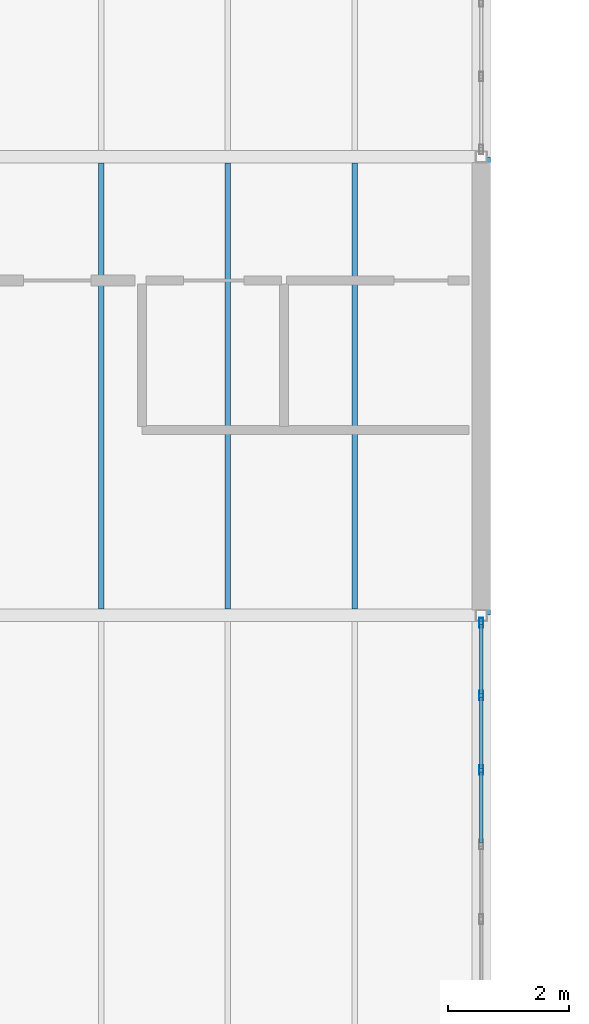
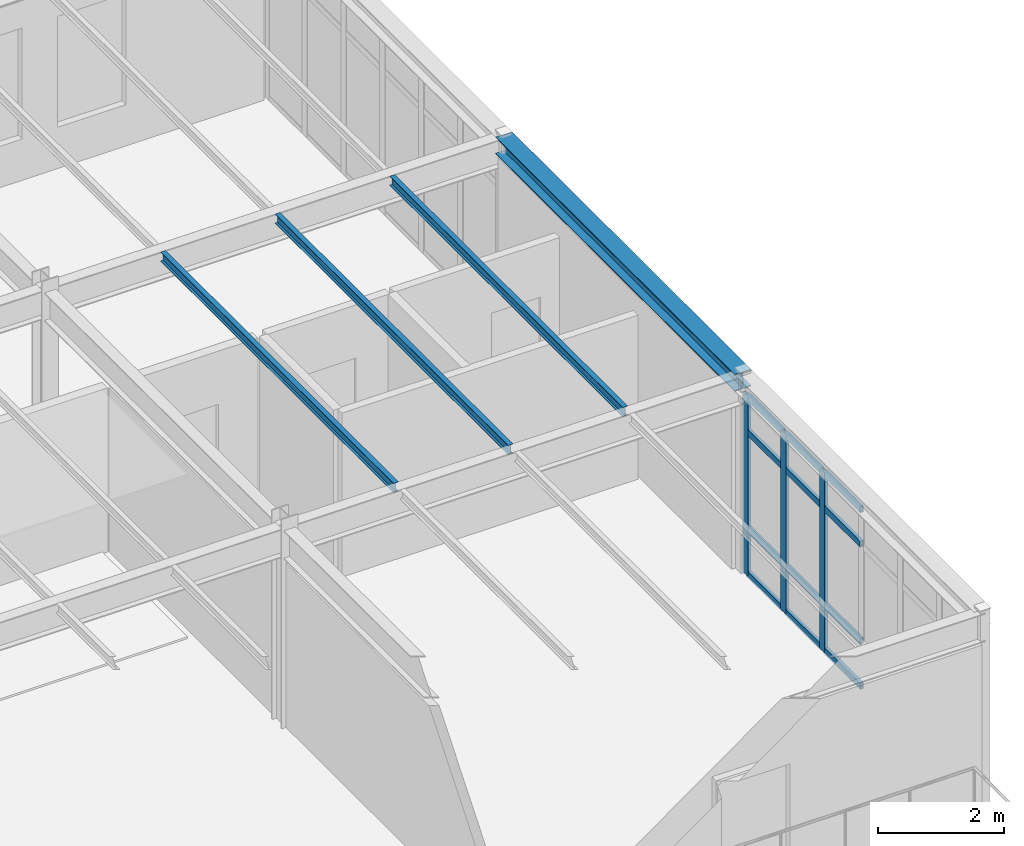
# One storey, part 24 of 65: 15 members, 4 beams, 1 element without a shape of its own.
"""IFC4 building model written with IfcOpenShell, lengths in metres."""

from ifc_helpers import new_model, si_unit, direction, frame, origin, origin_2d, place, context, subcontext, project, spatial, hollow_rectangle, i_section, extrude, material, layer, layer_set, material_profile, profile_set, type_object, element, aggregate, save


model = new_model("IFC4")

# Units and contexts
model_context = context("Model", 3, precision=1e-05, world=origin(), true_north=direction((0.0, 1.0)))
body_context = subcontext(model_context, "Body", "Model", "MODEL_VIEW")
ifc_project = project(units=[si_unit("LENGTHUNIT", "METRE"), si_unit("AREAUNIT", "SQUARE_METRE"), si_unit("VOLUMEUNIT", "CUBIC_METRE"), si_unit("PLANEANGLEUNIT", "RADIAN"), si_unit("MASSUNIT", "GRAM", prefix="KILO")], contexts=[model_context])

# Site, building, storey
site_placement = place(None, origin())
site = spatial("IfcSite", under=ifc_project, at=site_placement, CompositionType="ELEMENT")
building_placement = place(site_placement, origin())
building = spatial("IfcBuilding", under=site, at=building_placement, Name="Montecoro Central Library", CompositionType="ELEMENT")
storey_placement = place(building_placement, frame((0.0, 0.0, 17.340087890625)))
storey = spatial("IfcBuildingStorey", under=building, at=storey_placement, Name="L04", CompositionType="ELEMENT", Elevation=17.340087890625)

# Beams
ifc_material_1 = material(Name="Steel S355", Category="steel")
ifc_material_profile_1 = material_profile(ifc_material_1, i_section(OverallWidth=0.091064453125, OverallDepth=0.179931640625, WebThickness=0.00537109375, FlangeThickness=0.008056640625, at=origin_2d()), Name="IPE 180")
ifc_profile_set_1 = profile_set([ifc_material_profile_1], Name="Steel S355")
beam_type_1 = type_object("IfcBeamType", Name="BM-J-IPE180", PredefinedType="JOIST", material=ifc_profile_set_1)
for number, where, z_axis, x_axis, name in (
    (1, (110.5, 103.902099609375, 3.73486328125), (0.0, 1.0, 0.0), (-1.0, 0.0, 0.0), "V2-L04-JS-1415-PQ-1"),
    (2, (112.60009765625, 103.902099609375, 3.73486328125), (0.0, 1.0, 0.0), (-1.0, 0.0, 0.0), "V2-L04-JS-1415-PQ-2"),
    (3, (114.699951171875, 103.902099609375, 3.73486328125), (0.0, 1.0, 0.0), (-1.0, 0.0, 0.0), "V2-L04-JS-1415-PQ-3"),
):
    element("IfcBeam", number, at=place(storey_placement, frame(where, z_axis=z_axis, x_axis=x_axis)), inside=storey, type_object=beam_type_1, Name=name, PredefinedType="JOIST", context=body_context, shape_type="SweptSolid", body=[
        extrude(i_section(OverallWidth=0.091064453125, OverallDepth=0.179931640625, WebThickness=0.00537109375, FlangeThickness=0.008056640625, at=origin_2d()), origin(), (0.0, 0.0, 1.0), 7.39599609375),
    ])
ifc_material_profile_2 = material_profile(ifc_material_1, i_section(OverallWidth=0.300048828125, OverallDepth=0.330078125, WebThickness=0.009521484375, FlangeThickness=0.0166015625, at=origin_2d()), Name="HEA 340")
ifc_profile_set_2 = profile_set([ifc_material_profile_2], Name="Steel S355")
beam_type_2 = type_object("IfcBeamType", Name="BM-SP-HEA340", PredefinedType="SPANDREL", material=ifc_profile_set_2)
beam_placement = place(storey_placement, frame((116.800048828125, 103.804931640625, 3.659912109375), z_axis=(0.0, 1.0, 0.0), x_axis=(-1.0, 0.0, 0.0)))
element("IfcBeam", 4, at=beam_placement, inside=storey, type_object=beam_type_2, Name="V2-L04-BY-15-PQ", PredefinedType="SPANDREL", context=body_context, shape_type="SweptSolid", body=[
    extrude(i_section(OverallWidth=0.300048828125, OverallDepth=0.330078125, WebThickness=0.009521484375, FlangeThickness=0.0166015625, at=origin_2d()), origin(), (0.0, 0.0, 1.0), 7.590087890625),
])

# Curtain wall, members
ifc_material_2 = material(Name="Bronze-anodised aluminium and low-E glazing", Category="aluminium")
ifc_layer = layer(ifc_material_2, 0.159912109375)
ifc_layer_set = layer_set([ifc_layer], Name="Bronze-anodised aluminium and low-E glazing")
curtain_wall_type = type_object("IfcCurtainWallType", Name="CWT-021", PredefinedType="NOTDEFINED", material=ifc_layer_set)
curtain_wall_placement = place(storey_placement, origin())
curtain_wall = element("IfcCurtainWall", 5, at=curtain_wall_placement, inside=storey, type_object=curtain_wall_type, Name="V2-L04-CW-E0", PredefinedType="NOTDEFINED")
ifc_material_3 = material(Name="Bronze-anodised aluminium", Category="aluminium")
ifc_material_profile_3 = material_profile(ifc_material_3, hollow_rectangle(XDim=0.06005859375, YDim=0.159912109375, WallThickness=0.00390625, at=origin_2d()), Name="CWM 160x60x4.0")
ifc_profile_set_3 = profile_set([ifc_material_profile_3], Name="Bronze-anodised aluminium")
member_type_1 = type_object("IfcMemberType", Name="CWM-BRZ-60", PredefinedType="MULLION", material=ifc_profile_set_3)
member_1_placement = place(storey_placement, frame((116.800048828125, 101.235595703125, 0.0), z_axis=(0.0, 0.0, 1.0), x_axis=(-1.0, 0.0, 0.0)))
member_1 = element("IfcMember", 6, at=member_1_placement, type_object=member_type_1, Name="CW-021 mullion 5", PredefinedType="MULLION", context=body_context, shape_type="SweptSolid", body=[
    extrude(hollow_rectangle(XDim=0.06005859375, YDim=0.159912109375, WallThickness=0.00390625, at=origin_2d()), origin(), (0.0, 0.0, 1.0), 3.47998046875),
])
member_2_placement = place(storey_placement, frame((116.800048828125, 102.471435546875, 0.0), z_axis=(0.0, 0.0, 1.0), x_axis=(-1.0, 0.0, 0.0)))
member_2 = element("IfcMember", 7, at=member_2_placement, type_object=member_type_1, Name="CW-021 mullion 6", PredefinedType="MULLION", context=body_context, shape_type="SweptSolid", body=[
    extrude(hollow_rectangle(XDim=0.06005859375, YDim=0.159912109375, WallThickness=0.00390625, at=origin_2d()), origin(), (0.0, 0.0, 1.0), 3.47998046875),
])
member_3_placement = place(storey_placement, frame((116.800048828125, 103.677001953125, 0.0), z_axis=(0.0, 0.0, 1.0), x_axis=(-1.0, 0.0, 0.0)))
member_3 = element("IfcMember", 8, at=member_3_placement, type_object=member_type_1, Name="CW-021 mullion 7", PredefinedType="MULLION", context=body_context, shape_type="SweptSolid", body=[
    extrude(hollow_rectangle(XDim=0.06005859375, YDim=0.159912109375, WallThickness=0.00390625, at=origin_2d()), origin(), (0.0, 0.0, 1.0), 3.47998046875),
])
ifc_material_profile_4 = material_profile(ifc_material_3, hollow_rectangle(XDim=0.06005859375, YDim=0.1201171875, WallThickness=0.00390625, at=origin_2d()), Name="CWT 120x60x4.0")
ifc_profile_set_4 = profile_set([ifc_material_profile_4], Name="Bronze-anodised aluminium")
member_type_2 = type_object("IfcMemberType", Name="CWT-BRZ-60", PredefinedType="USERDEFINED", material=ifc_profile_set_4)
member_4_placement = place(storey_placement, frame((116.800048828125, 100.030029296875, 0.030029296875), z_axis=(0.0, 1.0, 0.0), x_axis=(-1.0, 0.0, 0.0)))
member_4 = element("IfcMember", 9, at=member_4_placement, type_object=member_type_2, Name="CW-021 transom 4.1", ObjectType="TRANSOM", PredefinedType="USERDEFINED", context=body_context, shape_type="SweptSolid", body=[
    extrude(hollow_rectangle(XDim=0.06005859375, YDim=0.1201171875, WallThickness=0.00390625, at=origin_2d()), origin(), (0.0, 0.0, 1.0), 1.175537109375),
])
member_5_placement = place(storey_placement, frame((116.800048828125, 100.030029296875, 0.89990234375), z_axis=(0.0, 1.0, 0.0), x_axis=(-1.0, 0.0, 0.0)))
member_5 = element("IfcMember", 10, at=member_5_placement, type_object=member_type_2, Name="CW-021 transom 4.2", ObjectType="TRANSOM", PredefinedType="USERDEFINED", context=body_context, shape_type="SweptSolid", body=[
    extrude(hollow_rectangle(XDim=0.06005859375, YDim=0.1201171875, WallThickness=0.00390625, at=origin_2d()), origin(), (0.0, 0.0, 1.0), 1.175537109375),
])
member_6_placement = place(storey_placement, frame((116.800048828125, 100.030029296875, 2.780029296875), z_axis=(0.0, 1.0, 0.0), x_axis=(-1.0, 0.0, 0.0)))
member_6 = element("IfcMember", 11, at=member_6_placement, type_object=member_type_2, Name="CW-021 transom 4.3", ObjectType="TRANSOM", PredefinedType="USERDEFINED", context=body_context, shape_type="SweptSolid", body=[
    extrude(hollow_rectangle(XDim=0.06005859375, YDim=0.1201171875, WallThickness=0.00390625, at=origin_2d()), origin(), (0.0, 0.0, 1.0), 1.175537109375),
])
member_7_placement = place(storey_placement, frame((116.800048828125, 100.030029296875, 3.449951171875), z_axis=(0.0, 1.0, 0.0), x_axis=(-1.0, 0.0, 0.0)))
member_7 = element("IfcMember", 12, at=member_7_placement, type_object=member_type_2, Name="CW-021 transom 4.4", ObjectType="TRANSOM", PredefinedType="USERDEFINED", context=body_context, shape_type="SweptSolid", body=[
    extrude(hollow_rectangle(XDim=0.06005859375, YDim=0.1201171875, WallThickness=0.00390625, at=origin_2d()), origin(), (0.0, 0.0, 1.0), 1.175537109375),
])
member_8_placement = place(storey_placement, frame((116.800048828125, 101.265625, 0.030029296875), z_axis=(0.0, 1.0, 0.0), x_axis=(-1.0, 0.0, 0.0)))
member_8 = element("IfcMember", 13, at=member_8_placement, type_object=member_type_2, Name="CW-021 transom 5.1", ObjectType="TRANSOM", PredefinedType="USERDEFINED", context=body_context, shape_type="SweptSolid", body=[
    extrude(hollow_rectangle(XDim=0.06005859375, YDim=0.1201171875, WallThickness=0.00390625, at=origin_2d()), origin(), (0.0, 0.0, 1.0), 1.17578125),
])
member_9_placement = place(storey_placement, frame((116.800048828125, 101.265625, 0.89990234375), z_axis=(0.0, 1.0, 0.0), x_axis=(-1.0, 0.0, 0.0)))
member_9 = element("IfcMember", 14, at=member_9_placement, type_object=member_type_2, Name="CW-021 transom 5.2", ObjectType="TRANSOM", PredefinedType="USERDEFINED", context=body_context, shape_type="SweptSolid", body=[
    extrude(hollow_rectangle(XDim=0.06005859375, YDim=0.1201171875, WallThickness=0.00390625, at=origin_2d()), origin(), (0.0, 0.0, 1.0), 1.17578125),
])
member_10_placement = place(storey_placement, frame((116.800048828125, 101.265625, 2.780029296875), z_axis=(0.0, 1.0, 0.0), x_axis=(-1.0, 0.0, 0.0)))
member_10 = element("IfcMember", 15, at=member_10_placement, type_object=member_type_2, Name="CW-021 transom 5.3", ObjectType="TRANSOM", PredefinedType="USERDEFINED", context=body_context, shape_type="SweptSolid", body=[
    extrude(hollow_rectangle(XDim=0.06005859375, YDim=0.1201171875, WallThickness=0.00390625, at=origin_2d()), origin(), (0.0, 0.0, 1.0), 1.17578125),
])
member_11_placement = place(storey_placement, frame((116.800048828125, 101.265625, 3.449951171875), z_axis=(0.0, 1.0, 0.0), x_axis=(-1.0, 0.0, 0.0)))
member_11 = element("IfcMember", 16, at=member_11_placement, type_object=member_type_2, Name="CW-021 transom 5.4", ObjectType="TRANSOM", PredefinedType="USERDEFINED", context=body_context, shape_type="SweptSolid", body=[
    extrude(hollow_rectangle(XDim=0.06005859375, YDim=0.1201171875, WallThickness=0.00390625, at=origin_2d()), origin(), (0.0, 0.0, 1.0), 1.17578125),
])
member_12_placement = place(storey_placement, frame((116.800048828125, 102.501220703125, 0.030029296875), z_axis=(0.0, 1.0, 0.0), x_axis=(-1.0, 0.0, 0.0)))
member_12 = element("IfcMember", 17, at=member_12_placement, type_object=member_type_2, Name="CW-021 transom 6.1", ObjectType="TRANSOM", PredefinedType="USERDEFINED", context=body_context, shape_type="SweptSolid", body=[
    extrude(hollow_rectangle(XDim=0.06005859375, YDim=0.1201171875, WallThickness=0.00390625, at=origin_2d()), origin(), (0.0, 0.0, 1.0), 1.145751953125),
])
member_13_placement = place(storey_placement, frame((116.800048828125, 102.501220703125, 0.89990234375), z_axis=(0.0, 1.0, 0.0), x_axis=(-1.0, 0.0, 0.0)))
member_13 = element("IfcMember", 18, at=member_13_placement, type_object=member_type_2, Name="CW-021 transom 6.2", ObjectType="TRANSOM", PredefinedType="USERDEFINED", context=body_context, shape_type="SweptSolid", body=[
    extrude(hollow_rectangle(XDim=0.06005859375, YDim=0.1201171875, WallThickness=0.00390625, at=origin_2d()), origin(), (0.0, 0.0, 1.0), 1.145751953125),
])
member_14_placement = place(storey_placement, frame((116.800048828125, 102.501220703125, 2.780029296875), z_axis=(0.0, 1.0, 0.0), x_axis=(-1.0, 0.0, 0.0)))
member_14 = element("IfcMember", 19, at=member_14_placement, type_object=member_type_2, Name="CW-021 transom 6.3", ObjectType="TRANSOM", PredefinedType="USERDEFINED", context=body_context, shape_type="SweptSolid", body=[
    extrude(hollow_rectangle(XDim=0.06005859375, YDim=0.1201171875, WallThickness=0.00390625, at=origin_2d()), origin(), (0.0, 0.0, 1.0), 1.145751953125),
])
member_15_placement = place(storey_placement, frame((116.800048828125, 102.501220703125, 3.449951171875), z_axis=(0.0, 1.0, 0.0), x_axis=(-1.0, 0.0, 0.0)))
member_15 = element("IfcMember", 20, at=member_15_placement, type_object=member_type_2, Name="CW-021 transom 6.4", ObjectType="TRANSOM", PredefinedType="USERDEFINED", context=body_context, shape_type="SweptSolid", body=[
    extrude(hollow_rectangle(XDim=0.06005859375, YDim=0.1201171875, WallThickness=0.00390625, at=origin_2d()), origin(), (0.0, 0.0, 1.0), 1.145751953125),
])
aggregate(curtain_wall, [member_1, member_2, member_3, member_4, member_5, member_6, member_7, member_8, member_9, member_10, member_11, member_12, member_13, member_14, member_15])

save(model, "model.ifc")
